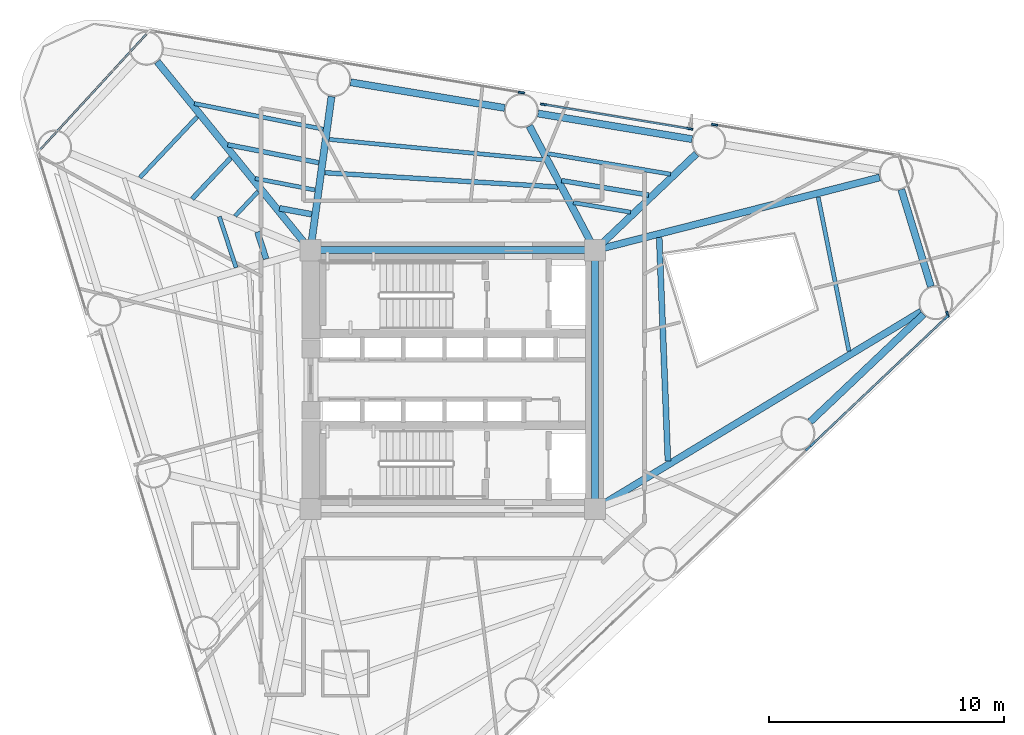
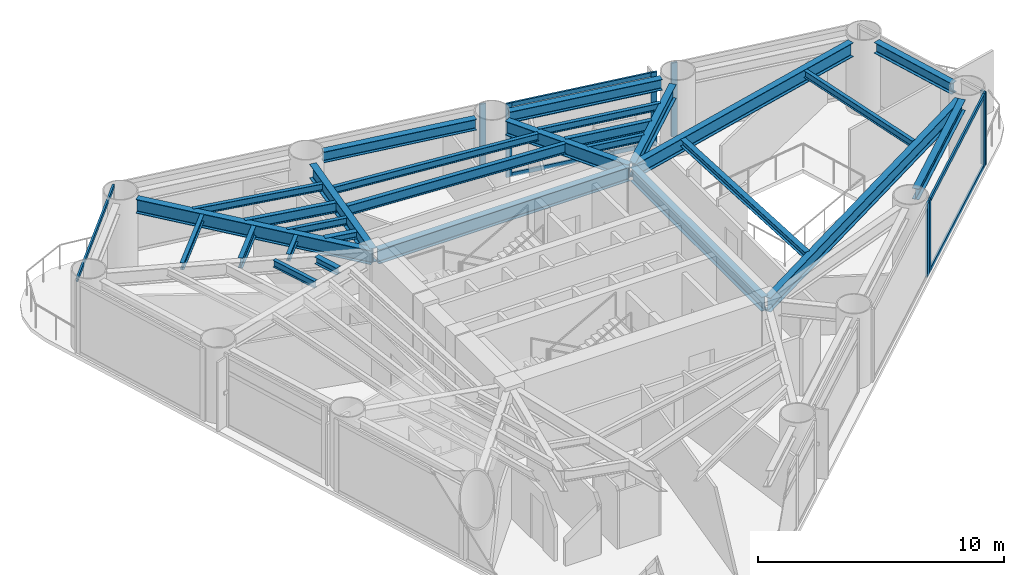
# One storey, part 3 of 10: 28 beams, 14 members, 7 elements without a shape of their own.
"""IFC4 building model written with IfcOpenShell, lengths in metres."""

from ifc_helpers import new_model, si_unit, direction, frame, origin, origin_2d, place, context, subcontext, project, spatial, rectangle, i_section, extrude, source, transform, mapped, material, layer, layer_set, material_profile, profile_set, type_object, element, aggregate, save


model = new_model("IFC4")

# Units and contexts
model_context = context("Model", 3, precision=1e-05, world=origin(), true_north=direction((0.0, 1.0)))
body_context = subcontext(model_context, "Body", "Model", "MODEL_VIEW")
ifc_project = project(units=[si_unit("LENGTHUNIT", "METRE"), si_unit("AREAUNIT", "SQUARE_METRE"), si_unit("VOLUMEUNIT", "CUBIC_METRE"), si_unit("PLANEANGLEUNIT", "RADIAN"), si_unit("MASSUNIT", "GRAM", prefix="KILO")], contexts=[model_context])

# Site, building, storey
site_placement = place(None, origin())
site = spatial("IfcSite", under=ifc_project, at=site_placement, CompositionType="ELEMENT")
building_placement = place(site_placement, origin())
building = spatial("IfcBuilding", under=site, at=building_placement, Name="Yunling Apex Tower", CompositionType="ELEMENT")
storey_placement = place(building_placement, frame((0.0, 0.0, 112.39990234375)))
storey = spatial("IfcBuildingStorey", under=building, at=storey_placement, Name="L28", CompositionType="ELEMENT", Elevation=112.39990234375)

# Beams
ifc_material_1 = material(Name="Steel Q355B", Category="steel")
ifc_material_profile_1 = material_profile(ifc_material_1, i_section(OverallWidth=0.300048828125, OverallDepth=0.699951171875, WebThickness=0.012939453125, FlangeThickness=0.02392578125, FilletRadius=0.02587890625, at=origin_2d()))
ifc_profile_set_1 = profile_set([ifc_material_profile_1], Name="Steel Q355B")
beam_type_1 = type_object("IfcBeamType", Name="BG-PRI-3", PredefinedType="USERDEFINED", material=ifc_profile_set_1)
shared_shape_1 = source(origin(), body_context, "Body", "SweptSolid", [
    extrude(i_section(OverallWidth=0.300048828125, OverallDepth=0.699951171875, WebThickness=0.012939453125, FlangeThickness=0.02392578125, FilletRadius=0.02587890625, at=origin_2d()), origin(), (0.0, 0.0, 1.0), 11.7998046875),
])
beam_1_placement = place(storey_placement, frame((5.89990234375, 5.5, 3.215087890625), z_axis=(-1.0, 0.0, 0.0), x_axis=(0.0, -1.0, 0.0)))
element("IfcBeam", 1, at=beam_1_placement, inside=storey, type_object=beam_type_1, Name="L28 Core Ring Tie Beam 3", ObjectType="GIRDER", PredefinedType="USERDEFINED", context=body_context, shape_type="MappedRepresentation", body=[
    mapped(shared_shape_1, transform((0.0, 0.0, 0.0), scale=1.0)),
])
shared_shape_2 = source(origin(), body_context, "Body", "SweptSolid", [
    extrude(i_section(OverallWidth=0.300048828125, OverallDepth=0.699951171875, WebThickness=0.012939453125, FlangeThickness=0.02392578125, FilletRadius=0.02587890625, at=origin_2d()), origin(), (0.0, 0.0, 1.0), 10.7001953125),
])
beam_2_placement = place(storey_placement, frame((6.050048828125, -5.35009765625, 3.215087890625), z_axis=(0.0, 1.0, 0.0), x_axis=(-1.0, 0.0, 0.0)))
element("IfcBeam", 2, at=beam_2_placement, inside=storey, type_object=beam_type_1, Name="L28 Core Ring Tie Beam 2", ObjectType="GIRDER", PredefinedType="USERDEFINED", context=body_context, shape_type="MappedRepresentation", body=[
    mapped(shared_shape_2, transform((0.0, 0.0, 0.0), scale=1.0)),
])
ifc_material_profile_2 = material_profile(ifc_material_1, i_section(OverallWidth=0.300048828125, OverallDepth=0.5400390625, WebThickness=0.011962890625, FlangeThickness=0.02001953125, FilletRadius=0.02392578125, at=origin_2d()))
ifc_profile_set_2 = profile_set([ifc_material_profile_2], Name="Steel Q355B")
beam_type_2 = type_object("IfcBeamType", Name="BP-SPN-1", PredefinedType="SPANDREL", material=ifc_profile_set_2)
shared_shape_3 = source(origin(), body_context, "Body", "SweptSolid", [
    extrude(i_section(OverallWidth=0.300048828125, OverallDepth=0.5400390625, WebThickness=0.011962890625, FlangeThickness=0.02001953125, FilletRadius=0.02392578125, at=origin_2d()), origin(), (0.0, 0.0, 1.0), 6.6416015625),
])
beam_3_placement = place(storey_placement, frame((15.194580078125, -1.79248046875, 3.295166015625), z_axis=(0.725873473547, 0.687828249203, 0.0), x_axis=(-0.687828249203, 0.725873473547, 0.0)))
element("IfcBeam", 3, at=beam_3_placement, inside=storey, type_object=beam_type_2, Name="L28 Perimeter Spandrel Beam 4", PredefinedType="SPANDREL", context=body_context, shape_type="MappedRepresentation", body=[
    mapped(shared_shape_3, transform((0.0, 0.0, 0.0), scale=1.0)),
])
shared_shape_4 = source(origin(), body_context, "Body", "SweptSolid", [
    extrude(i_section(OverallWidth=0.300048828125, OverallDepth=0.5400390625, WebThickness=0.011962890625, FlangeThickness=0.02001953125, FilletRadius=0.02392578125, at=origin_2d()), origin(), (0.0, 0.0, 1.0), 4.316162109375),
])
beam_4_placement = place(storey_placement, frame((20.327392578125, 3.9580078125, 3.295166015625), z_axis=(-0.29238810835, 0.956299740717, 0.0), x_axis=(-0.956299740717, -0.29238810835, 0.0)))
element("IfcBeam", 4, at=beam_4_placement, inside=storey, type_object=beam_type_2, Name="L28 Perimeter Spandrel Beam 5", PredefinedType="SPANDREL", context=body_context, shape_type="MappedRepresentation", body=[
    mapped(shared_shape_4, transform((0.0, 0.0, 0.0), scale=1.0)),
])
shared_shape_5 = source(origin(), body_context, "Body", "SweptSolid", [
    extrude(i_section(OverallWidth=0.300048828125, OverallDepth=0.5400390625, WebThickness=0.011962890625, FlangeThickness=0.02001953125, FilletRadius=0.02392578125, at=origin_2d()), origin(), (0.0, 0.0, 1.0), 6.641845703125),
])
for number, where, z_axis, x_axis, name in (
    (5, (10.176025390625, 10.21923828125, 3.295166015625), (-0.986402863526, 0.164345340146, 0.0), (-0.164345340146, -0.986402863526, 0.0), "L28 Perimeter Spandrel Beam 7"),
    (6, (2.206298828125, 11.547119140625, 3.295166015625), (-0.986396904036, 0.164381105081, 0.0), (-0.164381105081, -0.986396904036, 0.0), "L28 Perimeter Spandrel Beam 8"),
):
    element("IfcBeam", number, at=place(storey_placement, frame(where, z_axis=z_axis, x_axis=x_axis)), inside=storey, type_object=beam_type_2, Name=name, PredefinedType="SPANDREL", context=body_context, shape_type="MappedRepresentation", body=[
        mapped(shared_shape_5, transform((0.0, 0.0, 0.0), scale=1.0)),
    ])
shared_shape_6 = source(origin(), body_context, "Body", "SweptSolid", [
    extrude(i_section(OverallWidth=0.300048828125, OverallDepth=0.699951171875, WebThickness=0.012939453125, FlangeThickness=0.02392578125, FilletRadius=0.02587890625, at=origin_2d()), origin(), (0.0, 0.0, 1.0), 16.12255859375),
])
beam_5_placement = place(storey_placement, frame((19.91064453125, 2.890869140625, 3.215087890625), z_axis=(-0.855460711475, -0.517867715854, 0.0), x_axis=(0.517867715854, -0.855460711475, 0.0)))
element("IfcBeam", 7, at=beam_5_placement, inside=storey, type_object=beam_type_1, Name="L28 Radial Primary Girder R05", ObjectType="GIRDER", PredefinedType="USERDEFINED", context=body_context, shape_type="MappedRepresentation", body=[
    mapped(shared_shape_6, transform((0.0, 0.0, 0.0), scale=1.0)),
])
shared_shape_7 = source(origin(), body_context, "Body", "SweptSolid", [
    extrude(i_section(OverallWidth=0.300048828125, OverallDepth=0.699951171875, WebThickness=0.012939453125, FlangeThickness=0.02392578125, FilletRadius=0.02587890625, at=origin_2d()), origin(), (0.0, 0.0, 1.0), 12.404052734375),
])
beam_6_placement = place(storey_placement, frame((18.14501953125, 8.591552734375, 3.215087890625), z_axis=(-0.968850823376, -0.247645072723, 0.0), x_axis=(0.247645072723, -0.968850823376, 0.0)))
element("IfcBeam", 8, at=beam_6_placement, inside=storey, type_object=beam_type_1, Name="L28 Radial Primary Girder R06", ObjectType="GIRDER", PredefinedType="USERDEFINED", context=body_context, shape_type="MappedRepresentation", body=[
    mapped(shared_shape_7, transform((0.0, 0.0, 0.0), scale=1.0)),
])
shared_shape_8 = source(origin(), body_context, "Body", "SweptSolid", [
    extrude(i_section(OverallWidth=0.300048828125, OverallDepth=0.699951171875, WebThickness=0.012939453125, FlangeThickness=0.02392578125, FilletRadius=0.02587890625, at=origin_2d()), origin(), (0.0, 0.0, 1.0), 5.861572265625),
])
beam_7_placement = place(storey_placement, frame((10.354248046875, 9.595703125, 3.215087890625), z_axis=(-0.724444921608, -0.689332688588, 0.0), x_axis=(0.689332688588, -0.724444921608, 0.0)))
element("IfcBeam", 9, at=beam_7_placement, inside=storey, type_object=beam_type_1, Name="L28 Radial Primary Girder R07", ObjectType="GIRDER", PredefinedType="USERDEFINED", context=body_context, shape_type="MappedRepresentation", body=[
    mapped(shared_shape_8, transform((0.0, 0.0, 0.0), scale=1.0)),
])
shared_shape_9 = source(origin(), body_context, "Body", "SweptSolid", [
    extrude(i_section(OverallWidth=0.300048828125, OverallDepth=0.699951171875, WebThickness=0.012939453125, FlangeThickness=0.02392578125, FilletRadius=0.02587890625, at=origin_2d()), origin(), (0.0, 0.0, 1.0), 5.8935546875),
])
beam_8_placement = place(storey_placement, frame((3.258056640625, 10.781005859375, 3.215087890625), z_axis=(0.467396595772, -0.884047748858, 0.0), x_axis=(0.884047748858, 0.467396595772, 0.0)))
element("IfcBeam", 10, at=beam_8_placement, inside=storey, type_object=beam_type_1, Name="L28 Radial Primary Girder R08", ObjectType="GIRDER", PredefinedType="USERDEFINED", context=body_context, shape_type="MappedRepresentation", body=[
    mapped(shared_shape_9, transform((0.0, 0.0, 0.0), scale=1.0)),
])
shared_shape_10 = source(origin(), body_context, "Body", "SweptSolid", [
    extrude(i_section(OverallWidth=0.300048828125, OverallDepth=0.699951171875, WebThickness=0.012939453125, FlangeThickness=0.02392578125, FilletRadius=0.02587890625, at=origin_2d()), origin(), (0.0, 0.0, 1.0), 6.51171875),
])
beam_9_placement = place(storey_placement, frame((-5.154052734375, 12.03076171875, 3.215087890625), z_axis=(-0.135907866291, -0.990721480478, 0.0), x_axis=(0.990721480478, -0.135907866291, 0.0)))
element("IfcBeam", 11, at=beam_9_placement, inside=storey, type_object=beam_type_1, Name="L28 Radial Primary Girder R09", ObjectType="GIRDER", PredefinedType="USERDEFINED", context=body_context, shape_type="MappedRepresentation", body=[
    mapped(shared_shape_10, transform((0.0, 0.0, 0.0), scale=1.0)),
])
shared_shape_11 = source(origin(), body_context, "Body", "SweptSolid", [
    extrude(i_section(OverallWidth=0.300048828125, OverallDepth=0.699951171875, WebThickness=0.012939453125, FlangeThickness=0.02392578125, FilletRadius=0.02587890625, at=origin_2d()), origin(), (0.0, 0.0, 1.0), 10.248046875),
])
beam_10_placement = place(storey_placement, frame((-12.56201171875, 13.51611328125, 3.215087890625), z_axis=(0.630531635465, -0.776163550212, 0.0), x_axis=(0.776163550212, 0.630531635465, 0.0)))
element("IfcBeam", 12, at=beam_10_placement, inside=storey, type_object=beam_type_1, Name="L28 Radial Primary Girder R10", ObjectType="GIRDER", PredefinedType="USERDEFINED", context=body_context, shape_type="MappedRepresentation", body=[
    mapped(shared_shape_11, transform((0.0, 0.0, 0.0), scale=1.0)),
])
ifc_material_profile_3 = material_profile(ifc_material_1, i_section(OverallWidth=0.175048828125, OverallDepth=0.35009765625, WebThickness=0.007080078125, FlangeThickness=0.010986328125, FilletRadius=0.013916015625, at=origin_2d()))
ifc_profile_set_3 = profile_set([ifc_material_profile_3], Name="Steel Q355B")
beam_type_3 = type_object("IfcBeamType", Name="BJ-JST-1", PredefinedType="JOIST", material=ifc_profile_set_3)
shared_shape_12 = source(origin(), body_context, "Body", "SweptSolid", [
    extrude(i_section(OverallWidth=0.175048828125, OverallDepth=0.35009765625, WebThickness=0.007080078125, FlangeThickness=0.010986328125, FilletRadius=0.013916015625, at=origin_2d()), origin(), (0.0, 0.0, 1.0), 6.677978515625),
])
beam_11_placement = place(storey_placement, frame((16.844970703125, 1.2109375, 3.39013671875), z_axis=(-0.196502798026, 0.980503263823, 0.0), x_axis=(-0.980503263823, -0.196502798026, 0.0)))
element("IfcBeam", 13, at=beam_11_placement, inside=storey, type_object=beam_type_3, Name="L28 Composite Floor Joist BJ1-5", PredefinedType="JOIST", context=body_context, shape_type="MappedRepresentation", body=[
    mapped(shared_shape_12, transform((0.0, 0.0, 0.0), scale=1.0)),
])
ifc_material_profile_4 = material_profile(ifc_material_1, i_section(OverallWidth=0.25, OverallDepth=0.340087890625, WebThickness=0.009033203125, FlangeThickness=0.013916015625, FilletRadius=0.01806640625, at=origin_2d()))
ifc_profile_set_4 = profile_set([ifc_material_profile_4], Name="Steel Q355B")
beam_type_4 = type_object("IfcBeamType", Name="BJ-JST-2", PredefinedType="JOIST", material=ifc_profile_set_4)
shared_shape_13 = source(origin(), body_context, "Body", "SweptSolid", [
    extrude(i_section(OverallWidth=0.25, OverallDepth=0.340087890625, WebThickness=0.009033203125, FlangeThickness=0.013916015625, FilletRadius=0.01806640625, at=origin_2d()), origin(), (0.0, 0.0, 1.0), 9.504638671875),
])
beam_12_placement = place(storey_placement, frame((9.146484375, -3.4619140625, 3.39501953125), z_axis=(-0.038811925144, 0.999246533377, 0.0), x_axis=(-0.999246533377, -0.038811925144, 0.0)))
element("IfcBeam", 14, at=beam_12_placement, inside=storey, type_object=beam_type_4, Name="L28 Composite Floor Joist BJ2-5", PredefinedType="JOIST", context=body_context, shape_type="MappedRepresentation", body=[
    mapped(shared_shape_13, transform((0.0, 0.0, 0.0), scale=1.0)),
])
ifc_material_profile_5 = material_profile(ifc_material_1, i_section(OverallWidth=0.199951171875, OverallDepth=0.5, WebThickness=0.010009765625, FlangeThickness=0.01611328125, FilletRadius=0.02001953125, at=origin_2d()))
ifc_profile_set_5 = profile_set([ifc_material_profile_5], Name="Steel Q355B")
beam_type_5 = type_object("IfcBeamType", Name="BS-SEC-2", PredefinedType="BEAM", material=ifc_profile_set_5)
shared_shape_14 = source(origin(), body_context, "Body", "SweptSolid", [
    extrude(i_section(OverallWidth=0.199951171875, OverallDepth=0.5, WebThickness=0.010009765625, FlangeThickness=0.01611328125, FilletRadius=0.02001953125, at=origin_2d()), origin(), (0.0, 0.0, 1.0), 3.751708984375),
])
beam_13_placement = place(storey_placement, frame((8.328125, 7.84423828125, 3.315185546875), z_axis=(-0.986342871573, 0.164705008112, 0.0), x_axis=(-0.164705008112, -0.986342871573, 0.0)))
element("IfcBeam", 15, at=beam_13_placement, inside=storey, type_object=beam_type_5, Name="L28 Composite Floor Beam BS-7", PredefinedType="BEAM", context=body_context, shape_type="MappedRepresentation", body=[
    mapped(shared_shape_14, transform((0.0, 0.0, 0.0), scale=1.0)),
])
shared_shape_15 = source(origin(), body_context, "Body", "SweptSolid", [
    extrude(i_section(OverallWidth=0.175048828125, OverallDepth=0.35009765625, WebThickness=0.007080078125, FlangeThickness=0.010986328125, FilletRadius=0.013916015625, at=origin_2d()), origin(), (0.0, 0.0, 1.0), 5.31298828125),
])
beam_14_placement = place(storey_placement, frame((9.26220703125, 8.733154296875, 3.39013671875), z_axis=(-0.9863379805, 0.164734295835, 0.0), x_axis=(-0.164734295835, -0.9863379805, 0.0)))
element("IfcBeam", 16, at=beam_14_placement, inside=storey, type_object=beam_type_3, Name="L28 Composite Floor Joist BJ1-7", PredefinedType="JOIST", context=body_context, shape_type="MappedRepresentation", body=[
    mapped(shared_shape_15, transform((0.0, 0.0, 0.0), scale=1.0)),
])
shared_shape_16 = source(origin(), body_context, "Body", "SweptSolid", [
    extrude(i_section(OverallWidth=0.175048828125, OverallDepth=0.35009765625, WebThickness=0.007080078125, FlangeThickness=0.010986328125, FilletRadius=0.013916015625, at=origin_2d()), origin(), (0.0, 0.0, 1.0), 2.4736328125),
])
beam_15_placement = place(storey_placement, frame((7.563720703125, 7.116943359375, 3.39013671875), z_axis=(-0.986340524185, 0.164719064925, 0.0), x_axis=(-0.164719064925, -0.986340524185, 0.0)))
element("IfcBeam", 17, at=beam_15_placement, inside=storey, type_object=beam_type_3, Name="L28 Composite Floor Joist BJ3-7", PredefinedType="JOIST", context=body_context, shape_type="MappedRepresentation", body=[
    mapped(shared_shape_16, transform((0.0, 0.0, 0.0), scale=1.0)),
])
shared_shape_17 = source(origin(), body_context, "Body", "SweptSolid", [
    extrude(i_section(OverallWidth=0.199951171875, OverallDepth=0.5, WebThickness=0.010009765625, FlangeThickness=0.01611328125, FilletRadius=0.02001953125, at=origin_2d()), origin(), (0.0, 0.0, 1.0), 9.931396484375),
])
beam_16_placement = place(storey_placement, frame((4.4755859375, 8.185791015625, 3.315185546875), z_axis=(-0.998115763158, 0.061358971106, 0.0), x_axis=(-0.061358971106, -0.998115763158, 0.0)))
element("IfcBeam", 18, at=beam_16_placement, inside=storey, type_object=beam_type_5, Name="L28 Composite Floor Beam BS-8", PredefinedType="BEAM", context=body_context, shape_type="MappedRepresentation", body=[
    mapped(shared_shape_17, transform((0.0, 0.0, 0.0), scale=1.0)),
])
shared_shape_18 = source(origin(), body_context, "Body", "SweptSolid", [
    extrude(i_section(OverallWidth=0.175048828125, OverallDepth=0.35009765625, WebThickness=0.007080078125, FlangeThickness=0.010986328125, FilletRadius=0.013916015625, at=origin_2d()), origin(), (0.0, 0.0, 1.0), 9.154296875),
])
beam_17_placement = place(storey_placement, frame((3.8701171875, 9.33740234375, 3.39013671875), z_axis=(-0.99545727606, 0.095209303851, 0.0), x_axis=(-0.095209303851, -0.99545727606, 0.0)))
element("IfcBeam", 19, at=beam_17_placement, inside=storey, type_object=beam_type_3, Name="L28 Composite Floor Joist BJ1-8", PredefinedType="JOIST", context=body_context, shape_type="MappedRepresentation", body=[
    mapped(shared_shape_18, transform((0.0, 0.0, 0.0), scale=1.0)),
])
shared_shape_19 = source(origin(), body_context, "Body", "SweptSolid", [
    extrude(i_section(OverallWidth=0.199951171875, OverallDepth=0.5, WebThickness=0.010009765625, FlangeThickness=0.01611328125, FilletRadius=0.02001953125, at=origin_2d()), origin(), (0.0, 0.0, 1.0), 3.93603515625),
])
beam_18_placement = place(storey_placement, frame((-5.700439453125, 9.22314453125, 3.315185546875), z_axis=(-0.981071392503, 0.193646386002, 0.0), x_axis=(-0.193646386002, -0.981071392503, 0.0)))
element("IfcBeam", 20, at=beam_18_placement, inside=storey, type_object=beam_type_5, Name="L28 Composite Floor Beam BS-9", PredefinedType="BEAM", context=body_context, shape_type="MappedRepresentation", body=[
    mapped(shared_shape_19, transform((0.0, 0.0, 0.0), scale=1.0)),
])
shared_shape_20 = source(origin(), body_context, "Body", "SweptSolid", [
    extrude(i_section(OverallWidth=0.175048828125, OverallDepth=0.35009765625, WebThickness=0.007080078125, FlangeThickness=0.010986328125, FilletRadius=0.013916015625, at=origin_2d()), origin(), (0.0, 0.0, 1.0), 5.5859375),
])
beam_19_placement = place(storey_placement, frame((-5.505615234375, 10.642822265625, 3.39013671875), z_axis=(-0.980703200221, 0.195502514243, 0.0), x_axis=(-0.195502514243, -0.980703200221, 0.0)))
element("IfcBeam", 21, at=beam_19_placement, inside=storey, type_object=beam_type_3, Name="L28 Composite Floor Joist BJ1-9", PredefinedType="JOIST", context=body_context, shape_type="MappedRepresentation", body=[
    mapped(shared_shape_20, transform((0.0, 0.0, 0.0), scale=1.0)),
])
shared_shape_21 = source(origin(), body_context, "Body", "SweptSolid", [
    extrude(i_section(OverallWidth=0.175048828125, OverallDepth=0.35009765625, WebThickness=0.007080078125, FlangeThickness=0.010986328125, FilletRadius=0.013916015625, at=origin_2d()), origin(), (0.0, 0.0, 1.0), 2.586181640625),
])
beam_20_placement = place(storey_placement, frame((-5.85986328125, 8.061279296875, 3.39013671875), z_axis=(-0.981668903035, 0.190594241295, 0.0), x_axis=(-0.190594241295, -0.981668903035, 0.0)))
element("IfcBeam", 22, at=beam_20_placement, inside=storey, type_object=beam_type_3, Name="L28 Composite Floor Joist BJ3-9", PredefinedType="JOIST", context=body_context, shape_type="MappedRepresentation", body=[
    mapped(shared_shape_21, transform((0.0, 0.0, 0.0), scale=1.0)),
])
shared_shape_22 = source(origin(), body_context, "Body", "SweptSolid", [
    extrude(i_section(OverallWidth=0.25, OverallDepth=0.340087890625, WebThickness=0.009033203125, FlangeThickness=0.013916015625, FilletRadius=0.01806640625, at=origin_2d()), origin(), (0.0, 0.0, 1.0), 1.38671875),
])
beam_21_placement = place(storey_placement, frame((-6.001708984375, 7.028076171875, 3.39501953125), z_axis=(-0.982993560329, 0.183640029272, 0.0), x_axis=(-0.183640029272, -0.982993560329, 0.0)))
element("IfcBeam", 23, at=beam_21_placement, inside=storey, type_object=beam_type_4, Name="L28 Composite Floor Joist BJ2-9", PredefinedType="JOIST", context=body_context, shape_type="MappedRepresentation", body=[
    mapped(shared_shape_22, transform((0.0, 0.0, 0.0), scale=1.0)),
])
shared_shape_23 = source(origin(), body_context, "Body", "SweptSolid", [
    extrude(i_section(OverallWidth=0.199951171875, OverallDepth=0.5, WebThickness=0.010009765625, FlangeThickness=0.01611328125, FilletRadius=0.02001953125, at=origin_2d()), origin(), (0.0, 0.0, 1.0), 2.385498046875),
])
beam_22_placement = place(storey_placement, frame((-9.44091796875, 9.422607421875, 3.315185546875), z_axis=(-0.685604091154, -0.727974608207, 0.0), x_axis=(0.727974608207, -0.685604091154, 0.0)))
element("IfcBeam", 24, at=beam_22_placement, inside=storey, type_object=beam_type_5, Name="L28 Composite Floor Beam BS-10", PredefinedType="BEAM", context=body_context, shape_type="MappedRepresentation", body=[
    mapped(shared_shape_23, transform((0.0, 0.0, 0.0), scale=1.0)),
])
shared_shape_24 = source(origin(), body_context, "Body", "SweptSolid", [
    extrude(i_section(OverallWidth=0.175048828125, OverallDepth=0.35009765625, WebThickness=0.007080078125, FlangeThickness=0.010986328125, FilletRadius=0.013916015625, at=origin_2d()), origin(), (0.0, 0.0, 1.0), 3.558349609375),
])
beam_23_placement = place(storey_placement, frame((-10.862548828125, 11.172607421875, 3.39013671875), z_axis=(-0.685976545908, -0.727623651666, 0.0), x_axis=(0.727623651666, -0.685976545908, 0.0)))
element("IfcBeam", 25, at=beam_23_placement, inside=storey, type_object=beam_type_3, Name="L28 Composite Floor Joist BJ1-10", PredefinedType="JOIST", context=body_context, shape_type="MappedRepresentation", body=[
    mapped(shared_shape_24, transform((0.0, 0.0, 0.0), scale=1.0)),
])
shared_shape_25 = source(origin(), body_context, "Body", "SweptSolid", [
    extrude(i_section(OverallWidth=0.175048828125, OverallDepth=0.35009765625, WebThickness=0.007080078125, FlangeThickness=0.010986328125, FilletRadius=0.013916015625, at=origin_2d()), origin(), (0.0, 0.0, 1.0), 1.42578125),
])
beam_24_placement = place(storey_placement, frame((-8.277587890625, 7.99072265625, 3.39013671875), z_axis=(-0.68493728069, -0.728602032334, 0.0), x_axis=(0.728602032334, -0.68493728069, 0.0)))
element("IfcBeam", 26, at=beam_24_placement, inside=storey, type_object=beam_type_3, Name="L28 Composite Floor Joist BJ3-10", PredefinedType="JOIST", context=body_context, shape_type="MappedRepresentation", body=[
    mapped(shared_shape_25, transform((0.0, 0.0, 0.0), scale=1.0)),
])
shared_shape_26 = source(origin(), body_context, "Body", "SweptSolid", [
    extrude(i_section(OverallWidth=0.175048828125, OverallDepth=0.35009765625, WebThickness=0.007080078125, FlangeThickness=0.010986328125, FilletRadius=0.013916015625, at=origin_2d()), origin(), (0.0, 0.0, 1.0), 2.277099609375),
])
beam_25_placement = place(storey_placement, frame((-9.92138671875, 6.927978515625, 3.39013671875), z_axis=(0.311044342957, -0.950395400196, 0.0), x_axis=(0.950395400196, 0.311044342957, 0.0)))
element("IfcBeam", 27, at=beam_25_placement, inside=storey, type_object=beam_type_3, Name="L28 Composite Floor Joist BJ3-11", PredefinedType="JOIST", context=body_context, shape_type="MappedRepresentation", body=[
    mapped(shared_shape_26, transform((0.0, 0.0, 0.0), scale=1.0)),
])
shared_shape_27 = source(origin(), body_context, "Body", "SweptSolid", [
    extrude(i_section(OverallWidth=0.25, OverallDepth=0.340087890625, WebThickness=0.009033203125, FlangeThickness=0.013916015625, FilletRadius=0.01806640625, at=origin_2d()), origin(), (0.0, 0.0, 1.0), 1.2041015625),
])
beam_26_placement = place(storey_placement, frame((-8.302490234375, 6.275146484375, 3.39501953125), z_axis=(0.306173262139, -0.951975805129, 0.0), x_axis=(0.951975805129, 0.306173262139, 0.0)))
element("IfcBeam", 28, at=beam_26_placement, inside=storey, type_object=beam_type_4, Name="L28 Composite Floor Joist BJ2-11", PredefinedType="JOIST", context=body_context, shape_type="MappedRepresentation", body=[
    mapped(shared_shape_27, transform((0.0, 0.0, 0.0), scale=1.0)),
])

# Curtain wall, member
ifc_material_2 = material(Name="Bronze anodised aluminium", Category="aluminium")
ifc_layer = layer(ifc_material_2, 0.260009765625)
ifc_layer_set = layer_set([ifc_layer], Name="Bronze anodised aluminium")
curtain_wall_type = type_object("IfcCurtainWallType", Name="CW-SYS-2", PredefinedType="NOTDEFINED", material=ifc_layer_set)
curtain_wall_1_placement = place(storey_placement, origin())
curtain_wall_1 = element("IfcCurtainWall", 29, at=curtain_wall_1_placement, inside=storey, type_object=curtain_wall_type, Name="CW-L28-F1-B3", PredefinedType="NOTDEFINED")
ifc_material_profile_6 = material_profile(ifc_material_2, rectangle(XDim=0.0849609375, YDim=0.260009765625, at=origin_2d()))
ifc_profile_set_6 = profile_set([ifc_material_profile_6], Name="Bronze anodised aluminium")
member_type_1 = type_object("IfcMemberType", Name="CW-MUL-2", PredefinedType="MULLION", material=ifc_profile_set_6)
shared_shape_28 = source(origin(), body_context, "Body", "SweptSolid", [
    extrude(rectangle(XDim=0.0849609375, YDim=0.260009765625, at=origin_2d()), origin(), (0.0, 0.0, 1.0), 3.664794921875),
])
member_1_placement = place(storey_placement, frame((15.106689453125, -2.923095703125, -0.0498046875), z_axis=(0.0, 0.0, 1.0), x_axis=(-0.687861264918, 0.72584218686, 0.0)))
member_1 = element("IfcMember", 30, at=member_1_placement, type_object=member_type_1, Name="CW-SYS-2 mullion 2", PredefinedType="MULLION", context=body_context, shape_type="MappedRepresentation", body=[
    mapped(shared_shape_28, transform((0.0, 0.0, 0.0), scale=1.0)),
])
aggregate(curtain_wall_1, [member_1])

# Curtain wall, members
curtain_wall_2_placement = place(storey_placement, origin())
curtain_wall_2 = element("IfcCurtainWall", 31, at=curtain_wall_2_placement, inside=storey, type_object=curtain_wall_type, Name="CW-L28-F1-B4", PredefinedType="NOTDEFINED")
member_2_placement = place(storey_placement, frame((15.28466796875, -2.754638671875, -0.0498046875), z_axis=(0.0, 0.0, 1.0), x_axis=(-0.687861264918, 0.72584218686, 0.0)))
member_2 = element("IfcMember", 32, at=member_2_placement, type_object=member_type_1, Name="CW-SYS-2 mullion 1", PredefinedType="MULLION", context=body_context, shape_type="MappedRepresentation", body=[
    mapped(shared_shape_28, transform((0.0, 0.0, 0.0), scale=1.0)),
])
member_3_placement = place(storey_placement, frame((20.971435546875, 2.634765625, -0.0498046875), z_axis=(0.0, 0.0, 1.0), x_axis=(-0.687861264918, 0.72584218686, 0.0)))
member_3 = element("IfcMember", 33, at=member_3_placement, type_object=member_type_1, Name="CW-SYS-2 mullion 2", PredefinedType="MULLION", context=body_context, shape_type="MappedRepresentation", body=[
    mapped(shared_shape_28, transform((0.0, 0.0, 0.0), scale=1.0)),
])

# Curtain wall, member
curtain_wall_3_placement = place(storey_placement, origin())
curtain_wall_3 = element("IfcCurtainWall", 34, at=curtain_wall_3_placement, inside=storey, type_object=curtain_wall_type, Name="CW-L28-CRN1", PredefinedType="NOTDEFINED")
member_4_placement = place(storey_placement, frame((21.0341796875, 2.77392578125, -0.0498046875), z_axis=(0.0, 0.0, 1.0), x_axis=(-0.95630374567, -0.292375009223, 0.0)))
member_4 = element("IfcMember", 35, at=member_4_placement, type_object=member_type_1, Name="CW-SYS-2 mullion 1", PredefinedType="MULLION", context=body_context, shape_type="MappedRepresentation", body=[
    mapped(shared_shape_28, transform((0.0, 0.0, 0.0), scale=1.0)),
])
aggregate(curtain_wall_3, [member_4])

curtain_wall_4_placement = place(storey_placement, origin())
curtain_wall_4 = element("IfcCurtainWall", 36, at=curtain_wall_4_placement, inside=storey, type_object=curtain_wall_type, Name="CW-L28-F2-B1", PredefinedType="NOTDEFINED")
member_5_placement = place(storey_placement, frame((11.131103515625, 10.83056640625, -0.0498046875), z_axis=(0.0, 0.0, 1.0), x_axis=(-0.16436008369, -0.98640040698, 0.0)))
member_5 = element("IfcMember", 37, at=member_5_placement, type_object=member_type_1, Name="CW-SYS-2 mullion 2", PredefinedType="MULLION", context=body_context, shape_type="MappedRepresentation", body=[
    mapped(shared_shape_28, transform((0.0, 0.0, 0.0), scale=1.0)),
])
aggregate(curtain_wall_4, [member_5])

# Curtain wall, members
curtain_wall_5_placement = place(storey_placement, origin())
curtain_wall_5 = element("IfcCurtainWall", 38, at=curtain_wall_5_placement, inside=storey, type_object=curtain_wall_type, Name="CW-L28-F2-B2", PredefinedType="NOTDEFINED")
member_6_placement = place(storey_placement, frame((10.078857421875, 10.6611328125, -0.0498046875), z_axis=(0.0, 0.0, 1.0), x_axis=(-0.164355844023, -0.986401113409, 0.0)))
member_6 = element("IfcMember", 39, at=member_6_placement, type_object=member_type_1, Name="CW-SYS-2 mullion 1", PredefinedType="MULLION", context=body_context, shape_type="MappedRepresentation", body=[
    mapped(shared_shape_28, transform((0.0, 0.0, 0.0), scale=1.0)),
])
member_7_placement = place(storey_placement, frame((3.85986328125, 11.697509765625, -0.0498046875), z_axis=(0.0, 0.0, 1.0), x_axis=(-0.164355844023, -0.986401113409, 0.0)))
member_7 = element("IfcMember", 40, at=member_7_placement, type_object=member_type_1, Name="CW-SYS-2 mullion 2", PredefinedType="MULLION", context=body_context, shape_type="MappedRepresentation", body=[
    mapped(shared_shape_28, transform((0.0, 0.0, 0.0), scale=1.0)),
])

# Curtain wall, member
curtain_wall_6_placement = place(storey_placement, origin())
curtain_wall_6 = element("IfcCurtainWall", 41, at=curtain_wall_6_placement, inside=storey, type_object=curtain_wall_type, Name="CW-L28-F2-B3", PredefinedType="NOTDEFINED")
member_8_placement = place(storey_placement, frame((2.91943359375, 12.198974609375, -0.0498046875), z_axis=(0.0, 0.0, 1.0), x_axis=(-0.164362130784, -0.986400065878, 0.0)))
member_8 = element("IfcMember", 42, at=member_8_placement, type_object=member_type_1, Name="CW-SYS-2 mullion 1", PredefinedType="MULLION", context=body_context, shape_type="MappedRepresentation", body=[
    mapped(shared_shape_28, transform((0.0, 0.0, 0.0), scale=1.0)),
])
aggregate(curtain_wall_6, [member_8])

# Member
ifc_material_profile_7 = material_profile(ifc_material_2, rectangle(XDim=0.0849609375, YDim=0.199951171875, at=origin_2d()))
ifc_profile_set_7 = profile_set([ifc_material_profile_7], Name="Bronze anodised aluminium")
member_type_2 = type_object("IfcMemberType", Name="CW-TRN-2", PredefinedType="USERDEFINED", material=ifc_profile_set_7)
shared_shape_29 = source(origin(), body_context, "Body", "SweptSolid", [
    extrude(rectangle(XDim=0.0849609375, YDim=0.199951171875, at=origin_2d()), origin(), (0.0, 0.0, 1.0), 7.75830078125),
])
member_9_placement = place(storey_placement, frame((15.312255859375, -2.728271484375, 0.04248046875), z_axis=(0.725842697135, 0.687860726467, 0.0), x_axis=(-0.687860726467, 0.725842697135, 0.0)))
member_9 = element("IfcMember", 43, at=member_9_placement, type_object=member_type_2, Name="CW-SYS-2 transom 1.1", ObjectType="TRANSOM", PredefinedType="USERDEFINED", context=body_context, shape_type="MappedRepresentation", body=[
    mapped(shared_shape_29, transform((0.0, 0.0, 0.0), scale=1.0)),
])

member_10_placement = place(storey_placement, frame((15.312255859375, -2.728271484375, 3.522705078125), z_axis=(0.725842697135, 0.687860726467, 0.0), x_axis=(-0.687860726467, 0.725842697135, 0.0)))
member_10 = element("IfcMember", 44, at=member_10_placement, type_object=member_type_2, Name="CW-SYS-2 transom 1.2", ObjectType="TRANSOM", PredefinedType="USERDEFINED", context=body_context, shape_type="MappedRepresentation", body=[
    mapped(shared_shape_29, transform((0.0, 0.0, 0.0), scale=1.0)),
])

aggregate(curtain_wall_2, [member_2, member_3, member_9, member_10])

shared_shape_30 = source(origin(), body_context, "Body", "SweptSolid", [
    extrude(rectangle(XDim=0.0849609375, YDim=0.199951171875, at=origin_2d()), origin(), (0.0, 0.0, 1.0), 6.228515625),
])
member_11_placement = place(storey_placement, frame((10.041259765625, 10.66748046875, 0.04248046875), z_axis=(-0.986401338544, 0.164354492848, 0.0), x_axis=(-0.164354492848, -0.986401338544, 0.0)))
member_11 = element("IfcMember", 45, at=member_11_placement, type_object=member_type_2, Name="CW-SYS-2 transom 1.1", ObjectType="TRANSOM", PredefinedType="USERDEFINED", context=body_context, shape_type="MappedRepresentation", body=[
    mapped(shared_shape_30, transform((0.0, 0.0, 0.0), scale=1.0)),
])

member_12_placement = place(storey_placement, frame((10.041259765625, 10.66748046875, 2.715087890625), z_axis=(-0.986401338544, 0.164354492848, 0.0), x_axis=(-0.164354492848, -0.986401338544, 0.0)))
member_12 = element("IfcMember", 46, at=member_12_placement, type_object=member_type_2, Name="CW-SYS-2 transom 1.2", ObjectType="TRANSOM", PredefinedType="USERDEFINED", context=body_context, shape_type="MappedRepresentation", body=[
    mapped(shared_shape_30, transform((0.0, 0.0, 0.0), scale=1.0)),
])

member_13_placement = place(storey_placement, frame((10.041259765625, 10.66748046875, 3.522705078125), z_axis=(-0.986401338544, 0.164354492848, 0.0), x_axis=(-0.164354492848, -0.986401338544, 0.0)))
member_13 = element("IfcMember", 47, at=member_13_placement, type_object=member_type_2, Name="CW-SYS-2 transom 1.3", ObjectType="TRANSOM", PredefinedType="USERDEFINED", context=body_context, shape_type="MappedRepresentation", body=[
    mapped(shared_shape_30, transform((0.0, 0.0, 0.0), scale=1.0)),
])

aggregate(curtain_wall_5, [member_6, member_7, member_11, member_12, member_13])

# Curtain wall, member
curtain_wall_7_placement = place(storey_placement, origin())
curtain_wall_7 = element("IfcCurtainWall", 48, at=curtain_wall_7_placement, inside=storey, type_object=curtain_wall_type, Name="CW-L28-CRN2", PredefinedType="NOTDEFINED")
shared_shape_31 = source(origin(), body_context, "Body", "SweptSolid", [
    extrude(rectangle(XDim=0.0849609375, YDim=0.199951171875, at=origin_2d()), origin(), (0.0, 0.0, 1.0), 6.831298828125),
])
member_14_placement = place(storey_placement, frame((-12.957275390625, 14.755615234375, 3.522705078125), z_axis=(-0.676783953504, -0.73618168972, 0.0), x_axis=(0.73618168972, -0.676783953504, 0.0)))
member_14 = element("IfcMember", 49, at=member_14_placement, type_object=member_type_2, Name="CW-SYS-2 transom 1.2", ObjectType="TRANSOM", PredefinedType="USERDEFINED", context=body_context, shape_type="MappedRepresentation", body=[
    mapped(shared_shape_31, transform((0.0, 0.0, 0.0), scale=1.0)),
])
aggregate(curtain_wall_7, [member_14])

save(model, "model.ifc")
